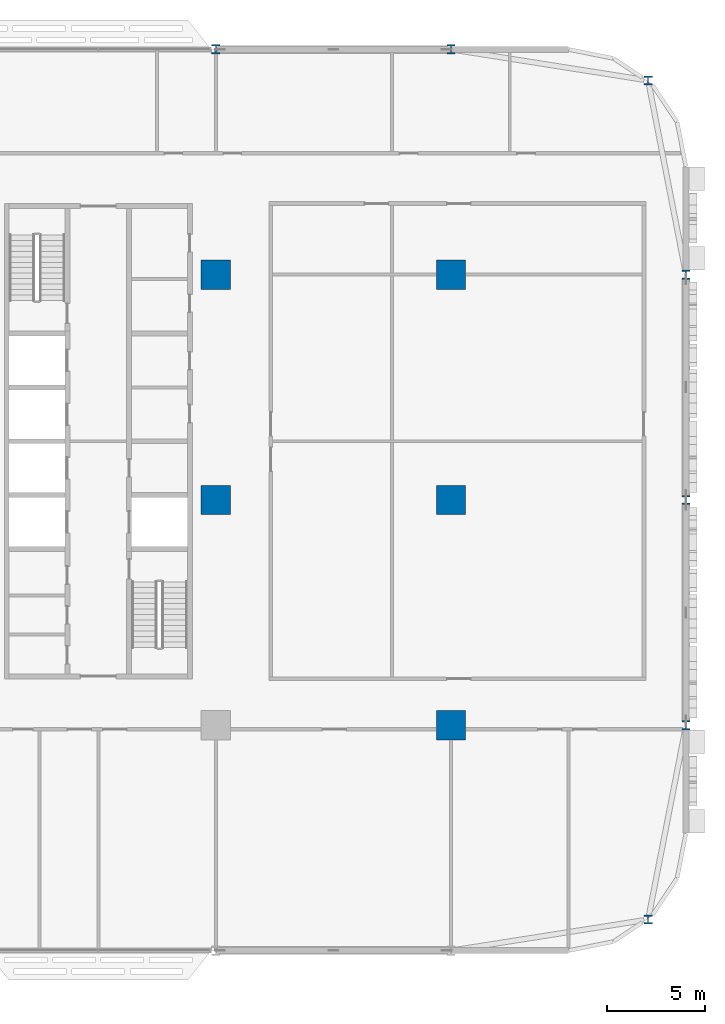
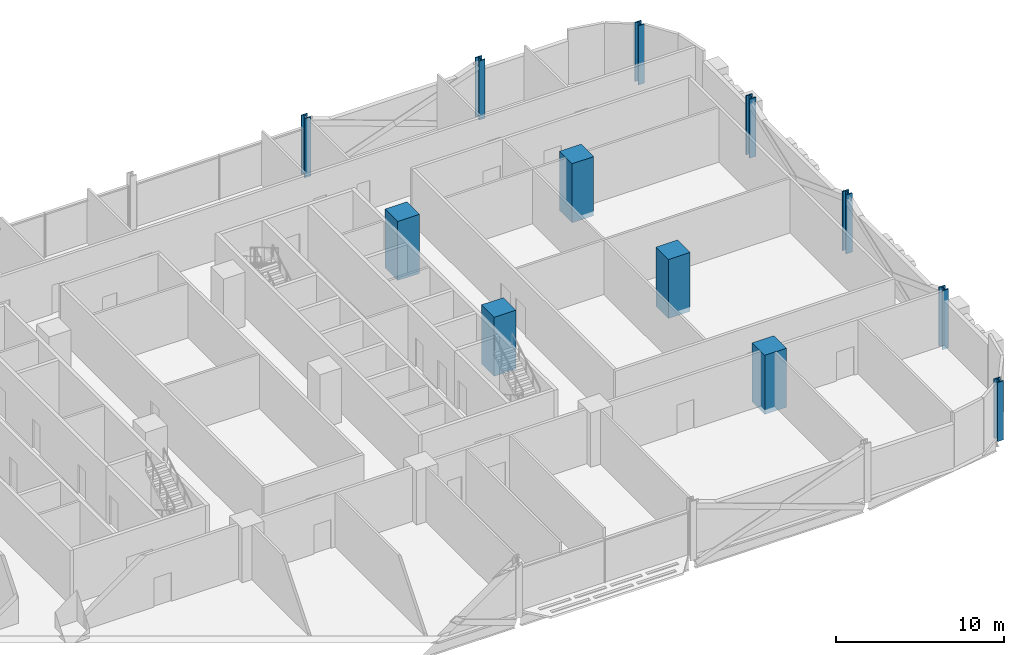
# One storey, part 2 of 29: 12 columns.
"""IFC4 building model written with IfcOpenShell, lengths in metres."""

from ifc_helpers import new_model, si_unit, direction, frame, origin, origin_2d, place, context, subcontext, project, spatial, rectangle, i_section, extrude, material, material_profile, profile_set, type_object, element, save


model = new_model("IFC4")

# Units and contexts
model_context = context("Model", 3, precision=1e-05, world=origin(), true_north=direction((0.0, 1.0)))
body_context = subcontext(model_context, "Body", "Model", "MODEL_VIEW")
ifc_project = project(units=[si_unit("LENGTHUNIT", "METRE"), si_unit("AREAUNIT", "SQUARE_METRE"), si_unit("VOLUMEUNIT", "CUBIC_METRE"), si_unit("PLANEANGLEUNIT", "RADIAN"), si_unit("MASSUNIT", "GRAM", prefix="KILO")], contexts=[model_context])

# Site, building, storey
site_placement = place(None, origin())
site = spatial("IfcSite", under=ifc_project, at=site_placement, CompositionType="ELEMENT")
building_placement = place(site_placement, origin())
building = spatial("IfcBuilding", under=site, at=building_placement, Name="Mahtab Terrace Research Tower", CompositionType="ELEMENT")
storey_placement = place(building_placement, frame((0.0, 0.0, 58.89990234375)))
storey = spatial("IfcBuildingStorey", under=building, at=storey_placement, Name="L13", CompositionType="ELEMENT", Elevation=58.89990234375)

# Columns
ifc_material_1 = material(Name="Concrete C70/85", Category="concrete")
ifc_material_profile_1 = material_profile(ifc_material_1, rectangle(XDim=1.5, YDim=1.5, at=origin_2d()), Name="RC column 1500x1500")
ifc_profile_set_1 = profile_set([ifc_material_profile_1], Name="Concrete C70/85")
column_type_1 = type_object("IfcColumnType", Name="RC column 1500x1500", PredefinedType="COLUMN", material=ifc_profile_set_1)
for number, where, z_axis, x_axis, name in (
    (1, (30.0, 0.0, -0.33984375), (0.0, 0.0, 1.0), (1.0, 0.0, 0.0), "Column RC-7B L13"),
    (2, (30.0, 11.5, -0.33984375), (0.0, 0.0, 1.0), (1.0, 0.0, 0.0), "Column RC-7C L13"),
    (3, (42.0, -11.5, -0.33984375), (0.0, 0.0, 1.0), (1.0, 0.0, 0.0), "Column RC-8A L13"),
    (4, (42.0, 0.0, -0.33984375), (0.0, 0.0, 1.0), (1.0, 0.0, 0.0), "Column RC-8B L13"),
    (5, (42.0, 11.5, -0.33984375), (0.0, 0.0, 1.0), (1.0, 0.0, 0.0), "Column RC-8C L13"),
):
    element("IfcColumn", number, at=place(storey_placement, frame(where, z_axis=z_axis, x_axis=x_axis)), inside=storey, type_object=column_type_1, Name=name, PredefinedType="COLUMN", context=body_context, shape_type="SweptSolid", body=[
        extrude(rectangle(XDim=1.5, YDim=1.5, at=origin_2d()), origin(), (0.0, 0.0, 1.0), 4.300048828125),
    ])
ifc_material_2 = material(Name="Steel ASTM A992 Gr 50", Category="steel")
ifc_material_profile_2 = material_profile(ifc_material_2, i_section(OverallWidth=0.42431640625, OverallDepth=0.47509765625, WebThickness=0.0478515625, FlangeThickness=0.0771484375, at=origin_2d()), Name="W14X426")
ifc_profile_set_2 = profile_set([ifc_material_profile_2], Name="Steel ASTM A992 Gr 50")
column_type_2 = type_object("IfcColumnType", Name="W14x426 column CS14426", PredefinedType="COLUMN", material=ifc_profile_set_2)
for number, where, z_axis, x_axis, name in (
    (6, (52.06201171875, 21.416015625, -0.33984375), (0.0, 0.0, 1.0), (1.0, 0.0, 0.0), "Column SC-023 L13"),
    (7, (42.0, 23.0, -0.33984375), (0.0, 0.0, 1.0), (1.0, 0.0, 0.0), "Column SC-001 L13"),
    (8, (30.0, 23.0, -0.33984375), (0.0, 0.0, 1.0), (1.0, 0.0, 0.0), "Column SC-002 L13"),
    (9, (52.06201171875, -21.416015625, -0.33984375), (0.0, 0.0, 1.0), (1.0, 0.0, 0.0), "Column SC-026 L13"),
    (10, (54.0, -11.5, -0.33984375), (0.0, 0.0, 1.0), (1.0, 0.0, 0.0), "Column SC-027 L13"),
    (11, (54.0, 0.0, -0.33984375), (0.0, 0.0, 1.0), (1.0, 0.0, 0.0), "Column SC-028 L13"),
    (12, (54.0, 11.5, -0.33984375), (0.0, 0.0, 1.0), (1.0, 0.0, 0.0), "Column SC-029 L13"),
):
    element("IfcColumn", number, at=place(storey_placement, frame(where, z_axis=z_axis, x_axis=x_axis)), inside=storey, type_object=column_type_2, Name=name, PredefinedType="COLUMN", context=body_context, shape_type="SweptSolid", body=[
        extrude(i_section(OverallWidth=0.42431640625, OverallDepth=0.47509765625, WebThickness=0.0478515625, FlangeThickness=0.0771484375, at=origin_2d()), origin(), (0.0, 0.0, 1.0), 4.300048828125),
    ])

save(model, "model.ifc")
